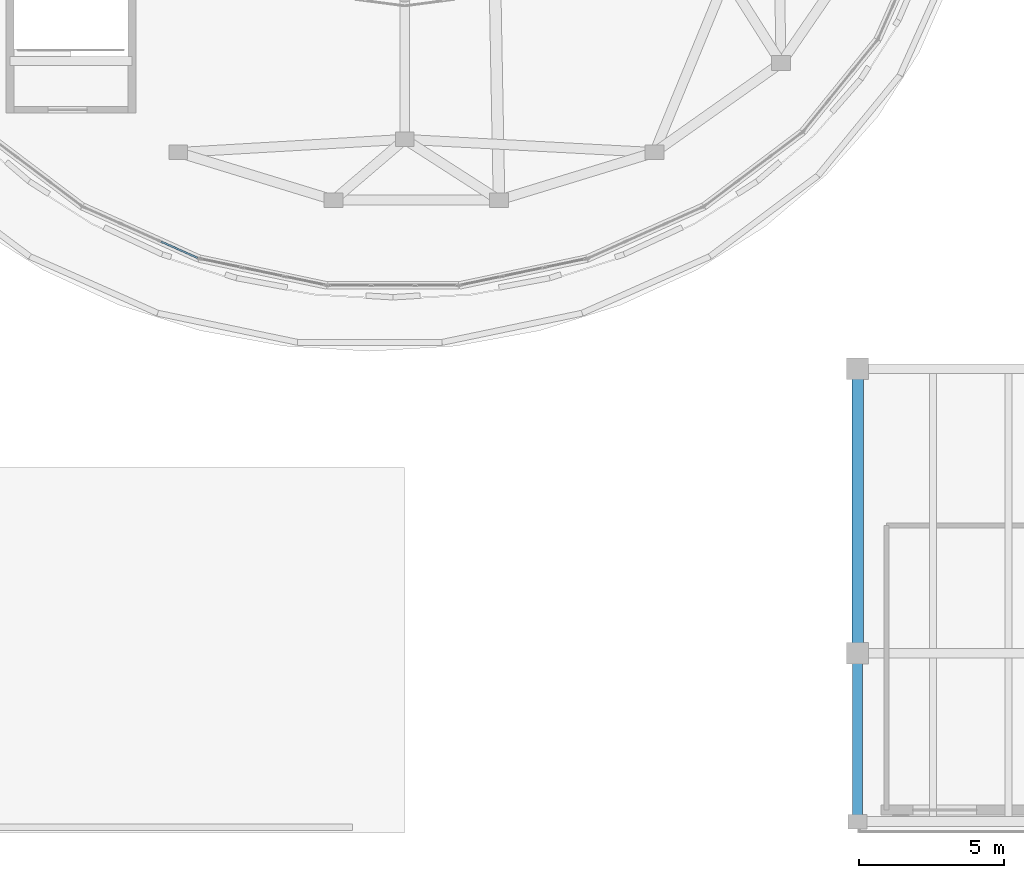
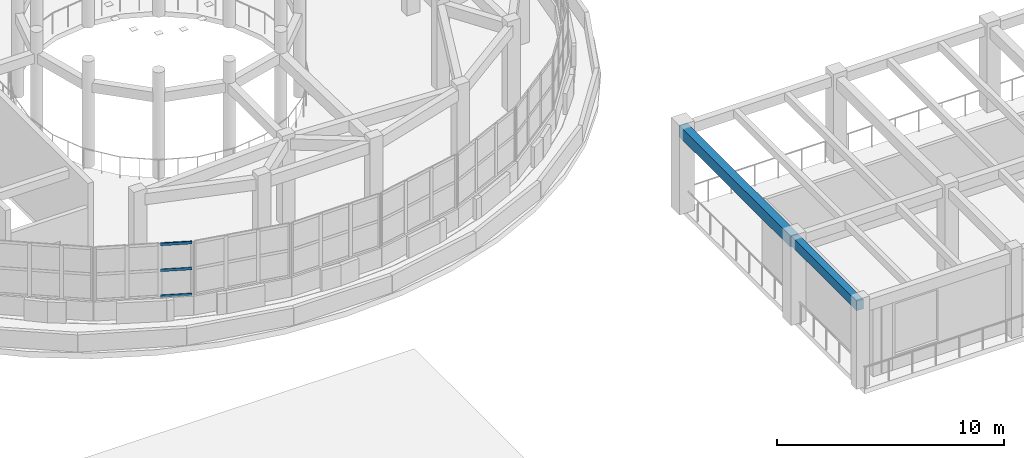
# One storey, part 4 of 98: 3 members, 2 beams, 1 element without a shape of its own.
"""IFC4 building model written with IfcOpenShell, lengths in metres."""

from ifc_helpers import new_model, si_unit, direction, frame, origin, origin_2d, place, context, subcontext, project, spatial, rectangle, hollow_rectangle, extrude, material, layer, layer_set, material_profile, profile_set, type_object, element, aggregate, save


model = new_model("IFC4")

# Units and contexts
model_context = context("Model", 3, precision=1e-05, world=origin(), true_north=direction((0.0, 1.0)))
body_context = subcontext(model_context, "Body", "Model", "MODEL_VIEW")
ifc_project = project(units=[si_unit("LENGTHUNIT", "METRE"), si_unit("AREAUNIT", "SQUARE_METRE"), si_unit("VOLUMEUNIT", "CUBIC_METRE"), si_unit("PLANEANGLEUNIT", "RADIAN"), si_unit("MASSUNIT", "GRAM", prefix="KILO")], contexts=[model_context])

# Site, building, storey
site_placement = place(None, origin())
site = spatial("IfcSite", under=ifc_project, at=site_placement, CompositionType="ELEMENT")
building_placement = place(site_placement, origin())
building = spatial("IfcBuilding", under=site, at=building_placement, Name="Pelvatis Terrace Science Centre", CompositionType="ELEMENT")
storey_placement = place(building_placement, frame((0.0, 0.0, 5.39990234375)))
storey = spatial("IfcBuildingStorey", under=building, at=storey_placement, Name="L01", CompositionType="ELEMENT", Elevation=5.39990234375)

# Beams
ifc_material_1 = material(Name="Concrete C35/45", Category="concrete")
ifc_material_profile_1 = material_profile(ifc_material_1, rectangle(XDim=0.340087890625, YDim=0.52001953125, at=origin_2d()), Name="RC-BM 340x520")
ifc_profile_set_1 = profile_set([ifc_material_profile_1], Name="Concrete C35/45")
beam_type_1 = type_object("IfcBeamType", Name="BM-RC-340x520", PredefinedType="BEAM", material=ifc_profile_set_1)
beam_1_placement = place(storey_placement, frame((62.39990234375, 0.39990234375, 4.280029296875), z_axis=(0.0, 1.0, 0.0), x_axis=(-1.0, 0.0, 0.0)))
element("IfcBeam", 1, at=beam_1_placement, inside=storey, type_object=beam_type_1, Name="Beam BM-L01-2717", PredefinedType="BEAM", context=body_context, shape_type="SweptSolid", body=[
    extrude(rectangle(XDim=0.340087890625, YDim=0.52001953125, at=origin_2d()), origin(), (0.0, 0.0, 1.0), 5.800048828125),
])
ifc_material_2 = material(Name="Concrete C35/45", Category="concrete")
ifc_material_profile_2 = material_profile(ifc_material_2, rectangle(XDim=0.39990234375, YDim=0.60009765625, at=origin_2d()), Name="RC-BM 400x600")
ifc_profile_set_2 = profile_set([ifc_material_profile_2], Name="Concrete C35/45")
beam_type_2 = type_object("IfcBeamType", Name="BM-RC-400x600", PredefinedType="BEAM", material=ifc_profile_set_2)
beam_2_placement = place(storey_placement, frame((62.39990234375, 6.199951171875, 4.239990234375), z_axis=(0.0, 1.0, 0.0), x_axis=(-1.0, 0.0, 0.0)))
element("IfcBeam", 2, at=beam_2_placement, inside=storey, type_object=beam_type_2, Name="Beam BM-L01-2719", PredefinedType="BEAM", context=body_context, shape_type="SweptSolid", body=[
    extrude(rectangle(XDim=0.39990234375, YDim=0.60009765625, at=origin_2d()), origin(), (0.0, 0.0, 1.0), 9.800048828125),
])

# Curtain wall, members
ifc_material_3 = material(Name="Bronze-anodised aluminium and laminated glass", Category="aluminium")
ifc_layer = layer(ifc_material_3, 0.179931640625)
ifc_layer_set = layer_set([ifc_layer], Name="Bronze-anodised aluminium and laminated glass")
curtain_wall_type = type_object("IfcCurtainWallType", Name="CW-RIBBON-A", PredefinedType="NOTDEFINED", material=ifc_layer_set)
curtain_wall_placement = place(storey_placement, origin())
curtain_wall = element("IfcCurtainWall", 3, at=curtain_wall_placement, inside=storey, type_object=curtain_wall_type, Name="Ribbon curtain wall CW-034 (L01)", PredefinedType="NOTDEFINED")
ifc_material_4 = material(Name="Bronze-anodised aluminium 6063-T6", Category="aluminium")
ifc_material_profile_3 = material_profile(ifc_material_4, hollow_rectangle(XDim=0.06005859375, YDim=0.139892578125, WallThickness=0.00390625, at=origin_2d()), Name="ALU-TRN 60x140")
ifc_profile_set_3 = profile_set([ifc_material_profile_3], Name="Bronze-anodised aluminium 6063-T6")
member_type = type_object("IfcMemberType", Name="CWT-60x140", PredefinedType="USERDEFINED", material=ifc_profile_set_3)
member_1_placement = place(storey_placement, frame((38.40185546875, 20.380126953125, 1.050048828125), z_axis=(0.912955392726, -0.408059371773, 0.0), x_axis=(0.408059371773, 0.912955392726, 0.0)))
member_1 = element("IfcMember", 4, at=member_1_placement, type_object=member_type, Name="CW-034 transom 3.1", ObjectType="TRANSOM", PredefinedType="USERDEFINED", context=body_context, shape_type="SweptSolid", body=[
    extrude(hollow_rectangle(XDim=0.06005859375, YDim=0.139892578125, WallThickness=0.00390625, at=origin_2d()), origin(), (0.0, 0.0, 1.0), 1.379150390625),
])
member_2_placement = place(storey_placement, frame((38.40185546875, 20.380126953125, 2.440185546875), z_axis=(0.912955392726, -0.408059371773, 0.0), x_axis=(0.408059371773, 0.912955392726, 0.0)))
member_2 = element("IfcMember", 5, at=member_2_placement, type_object=member_type, Name="CW-034 transom 3.2", ObjectType="TRANSOM", PredefinedType="USERDEFINED", context=body_context, shape_type="SweptSolid", body=[
    extrude(hollow_rectangle(XDim=0.06005859375, YDim=0.139892578125, WallThickness=0.00390625, at=origin_2d()), origin(), (0.0, 0.0, 1.0), 1.379150390625),
])
member_3_placement = place(storey_placement, frame((38.40185546875, 20.380126953125, 3.830078125), z_axis=(0.912955392726, -0.408059371773, 0.0), x_axis=(0.408059371773, 0.912955392726, 0.0)))
member_3 = element("IfcMember", 6, at=member_3_placement, type_object=member_type, Name="CW-034 transom 3.3", ObjectType="TRANSOM", PredefinedType="USERDEFINED", context=body_context, shape_type="SweptSolid", body=[
    extrude(hollow_rectangle(XDim=0.06005859375, YDim=0.139892578125, WallThickness=0.00390625, at=origin_2d()), origin(), (0.0, 0.0, 1.0), 1.379150390625),
])
aggregate(curtain_wall, [member_1, member_2, member_3])

save(model, "model.ifc")
